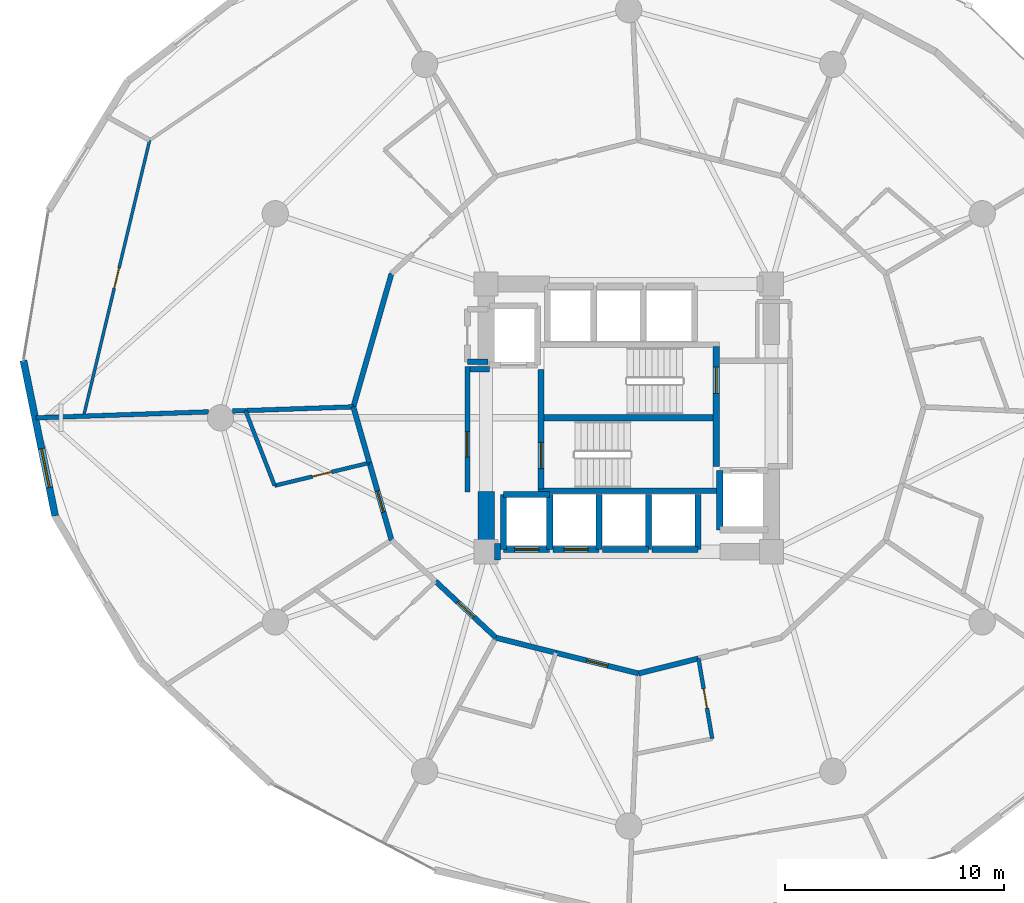
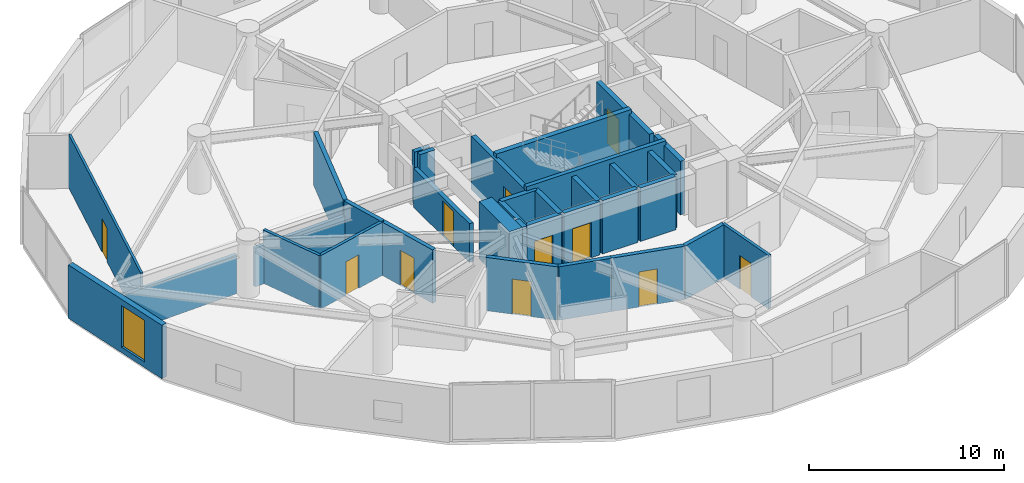
# One storey, part 18 of 23: 34 walls, 11 doors, 1 window, 12 openings.
"""IFC4 building model written with IfcOpenShell, lengths in metres."""

from ifc_helpers import new_model, si_unit, direction, frame, frame_2d, origin, place, context, subcontext, project, spatial, rectangle, extrude, material, layer, layer_set, type_object, element, fill, save


model = new_model("IFC4")

# Units and contexts
model_context = context("Model", 3, precision=1e-05, world=origin(), true_north=direction((0.0, 1.0)))
body_context = subcontext(model_context, "Body", "Model", "MODEL_VIEW")
ifc_project = project(units=[si_unit("LENGTHUNIT", "METRE"), si_unit("AREAUNIT", "SQUARE_METRE"), si_unit("VOLUMEUNIT", "CUBIC_METRE"), si_unit("PLANEANGLEUNIT", "RADIAN"), si_unit("MASSUNIT", "GRAM", prefix="KILO")], contexts=[model_context])

# Site, building, storey
site_placement = place(None, origin())
site = spatial("IfcSite", under=ifc_project, at=site_placement, CompositionType="ELEMENT")
building_placement = place(site_placement, origin())
building = spatial("IfcBuilding", under=site, at=building_placement, Name="Solvirekh Grand Hotel", CompositionType="ELEMENT")
storey_placement = place(building_placement, frame((0.0, 0.0, 75.199951171875)))
storey = spatial("IfcBuildingStorey", under=building, at=storey_placement, Name="L18", CompositionType="ELEMENT", Elevation=75.199951171875)

# Wall
ifc_material_1 = material(Name="Concrete C50/60", Category="concrete")
ifc_layer_1 = layer(ifc_material_1, 0.35009765625)
ifc_layer_set_1 = layer_set([ifc_layer_1], Name="Concrete C50/60")
wall_type_1 = type_object("IfcWallType", Name="CoreDivWall_RC350", PredefinedType="SOLIDWALL", material=ifc_layer_set_1)
wall_1_placement = place(storey_placement, frame((-4.1298828125, -3.324951171875, 0.0), z_axis=(0.0, 0.0, 1.0), x_axis=(1.0, 0.0, 0.0)))
element("IfcWall", 1, at=wall_1_placement, inside=storey, type_object=wall_type_1, Name="L18 core stair box wall ST-S", PredefinedType="SOLIDWALL", context=body_context, shape_type="SweptSolid", body=[
    extrude(rectangle(XDim=8.259765625, YDim=0.25, at=frame_2d((4.1298828125, 0.0))), origin(), (0.0, 0.0, 1.0), 3.60009765625),
])

# Wall, opening, door
ifc_material_2 = material(Name="Concrete C40/50", Category="concrete")
ifc_layer_2 = layer(ifc_material_2, 0.280029296875)
ifc_layer_set_2 = layer_set([ifc_layer_2], Name="Concrete C40/50")
wall_type_2 = type_object("IfcWallType", Name="CoreShaftWall_RC280", PredefinedType="SOLIDWALL", material=ifc_layer_set_2)
wall_2_placement = place(storey_placement, frame((-5.699951171875, -6.0, 0.0), z_axis=(0.0, 0.0, 1.0), x_axis=(1.0, 0.0, 0.0)))
wall_2 = element("IfcWall", 2, at=wall_2_placement, inside=storey, type_object=wall_type_2, Name="L18 LP-1 hoistway S wall", PredefinedType="SOLIDWALL", context=body_context, shape_type="SweptSolid", body=[
    extrude(rectangle(XDim=2.099853515625, YDim=0.280029296875, at=frame_2d((1.0498046875, 0.0))), origin(), (0.0, 0.0, 1.0), 3.340087890625),
])
opening_1_placement = place(wall_2_placement, frame((0.5, 0.0, 0.0)))
opening_1 = element("IfcOpeningElement", 3, at=opening_1_placement, cuts=wall_2, Name="Opening LD01", PredefinedType="OPENING", context=body_context, shape_type="SweptSolid", body=[
    extrude(rectangle(XDim=1.10009765625, YDim=2.199951171875, at=frame_2d((0.550048828125, 1.10009765625))), frame((0.0, 0.14990234375, 0.0), z_axis=(0.0, -1.0, 0.0), x_axis=(1.0, 0.0, 0.0)), (0.0, 0.0, 1.0), 0.300048828125),
])
ifc_material_3 = material(Name="Fire-Rated Steel Door Assembly", Category="steel")
door_type_1 = type_object("IfcDoorType", Name="Door_LiftLanding_1100X2200", OperationType="SLIDING_TO_LEFT", PredefinedType="DOOR", material=ifc_material_3)
door_1_placement = place(opening_1_placement, origin())
door_1 = element("IfcDoor", 4, at=door_1_placement, inside=storey, type_object=door_type_1, Name="L18 LP-1 sliding lift landing door", OperationType="SLIDING_TO_LEFT", OverallHeight=2.199951171875, OverallWidth=1.10009765625, PredefinedType="DOOR", context=body_context, shape_type="SweptSolid", body=[
    extrude(rectangle(XDim=1.10009765625, YDim=2.199951171875, at=frame_2d((0.550048828125, 1.10009765625))), frame((0.0, 0.02490234375, 0.0), z_axis=(0.0, -1.0, 0.0), x_axis=(1.0, 0.0, 0.0)), (0.0, 0.0, 1.0), 0.050048828125),
])
fill(opening_1, door_1)

# Walls
wall_3_placement = place(storey_placement, frame((-3.60009765625, -3.5, 0.0), z_axis=(0.0, 0.0, 1.0), x_axis=(-1.0, 0.0, 0.0)))
element("IfcWall", 5, at=wall_3_placement, inside=storey, type_object=wall_type_2, Name="L18 LP-1 hoistway N wall", PredefinedType="SOLIDWALL", context=body_context, shape_type="SweptSolid", body=[
    extrude(rectangle(XDim=2.099853515625, YDim=0.280029296875, at=frame_2d((1.0498046875, 0.0))), origin(), (0.0, 0.0, 1.0), 3.340087890625),
])
for number, where, z_axis, x_axis, name in (
    (6, (-5.699951171875, -3.5, 0.0), (0.0, 0.0, 1.0), (0.0, -1.0, 0.0), "L18 LP-1 hoistway W wall"),
    (7, (-3.60009765625, -6.0, 0.0), (0.0, 0.0, 1.0), (0.0, 1.0, 0.0), "L18 LP-1 hoistway E wall"),
):
    element("IfcWall", number, at=place(storey_placement, frame(where, z_axis=z_axis, x_axis=x_axis)), inside=storey, type_object=wall_type_2, Name=name, PredefinedType="SOLIDWALL", context=body_context, shape_type="SweptSolid", body=[
        extrude(rectangle(XDim=2.5, YDim=0.280029296875, at=frame_2d((1.25, 0.0))), origin(), (0.0, 0.0, 1.0), 3.340087890625),
    ])

# Wall, opening, door
wall_4_placement = place(storey_placement, frame((-3.449951171875, -6.0, 0.0), z_axis=(0.0, 0.0, 1.0), x_axis=(1.0, 0.0, 0.0)))
wall_4 = element("IfcWall", 8, at=wall_4_placement, inside=storey, type_object=wall_type_2, Name="L18 LP-2 hoistway S wall", PredefinedType="SOLIDWALL", context=body_context, shape_type="SweptSolid", body=[
    extrude(rectangle(XDim=2.099853515625, YDim=0.280029296875, at=frame_2d((1.0498046875, 0.0))), origin(), (0.0, 0.0, 1.0), 3.340087890625),
])
opening_2_placement = place(wall_4_placement, frame((0.5, 0.0, 0.0)))
opening_2 = element("IfcOpeningElement", 9, at=opening_2_placement, cuts=wall_4, Name="Opening LD01", PredefinedType="OPENING", context=body_context, shape_type="SweptSolid", body=[
    extrude(rectangle(XDim=1.10009765625, YDim=2.199951171875, at=frame_2d((0.550048828125, 1.10009765625))), frame((0.0, 0.14990234375, 0.0), z_axis=(0.0, -1.0, 0.0), x_axis=(1.0, 0.0, 0.0)), (0.0, 0.0, 1.0), 0.300048828125),
])
door_2_placement = place(opening_2_placement, origin())
door_2 = element("IfcDoor", 10, at=door_2_placement, inside=storey, type_object=door_type_1, Name="L18 LP-2 sliding lift landing door", OperationType="SLIDING_TO_LEFT", OverallHeight=2.199951171875, OverallWidth=1.10009765625, PredefinedType="DOOR", context=body_context, shape_type="SweptSolid", body=[
    extrude(rectangle(XDim=1.10009765625, YDim=2.199951171875, at=frame_2d((0.550048828125, 1.10009765625))), frame((0.0, 0.02490234375, 0.0), z_axis=(0.0, -1.0, 0.0), x_axis=(1.0, 0.0, 0.0)), (0.0, 0.0, 1.0), 0.050048828125),
])
fill(opening_2, door_2)

# Walls
wall_5_placement = place(storey_placement, frame((-1.35009765625, -6.0, 0.0), z_axis=(0.0, 0.0, 1.0), x_axis=(0.0, 1.0, 0.0)))
element("IfcWall", 11, at=wall_5_placement, inside=storey, type_object=wall_type_2, Name="L18 LP-2 hoistway E wall", PredefinedType="SOLIDWALL", context=body_context, shape_type="SweptSolid", body=[
    extrude(rectangle(XDim=2.5, YDim=0.280029296875, at=frame_2d((1.25, 0.0))), origin(), (0.0, 0.0, 1.0), 3.340087890625),
])
wall_6_placement = place(storey_placement, frame((-1.199951171875, -6.0, 0.0), z_axis=(0.0, 0.0, 1.0), x_axis=(1.0, 0.0, 0.0)))
element("IfcWall", 12, at=wall_6_placement, inside=storey, type_object=wall_type_2, Name="L18 MP-1 hoistway S wall", PredefinedType="SOLIDWALL", context=body_context, shape_type="SweptSolid", body=[
    extrude(rectangle(XDim=2.099853515625, YDim=0.280029296875, at=frame_2d((1.0498046875, 0.0))), origin(), (0.0, 0.0, 1.0), 3.340087890625),
])
wall_7_placement = place(storey_placement, frame((0.89990234375, -6.0, 0.0), z_axis=(0.0, 0.0, 1.0), x_axis=(0.0, 1.0, 0.0)))
element("IfcWall", 13, at=wall_7_placement, inside=storey, type_object=wall_type_2, Name="L18 MP-1 hoistway E wall", PredefinedType="SOLIDWALL", context=body_context, shape_type="SweptSolid", body=[
    extrude(rectangle(XDim=2.5, YDim=0.280029296875, at=frame_2d((1.25, 0.0))), origin(), (0.0, 0.0, 1.0), 3.340087890625),
])
wall_8_placement = place(storey_placement, frame((1.050048828125, -6.0, 0.0), z_axis=(0.0, 0.0, 1.0), x_axis=(1.0, 0.0, 0.0)))
element("IfcWall", 14, at=wall_8_placement, inside=storey, type_object=wall_type_2, Name="L18 MP-2 hoistway S wall", PredefinedType="SOLIDWALL", context=body_context, shape_type="SweptSolid", body=[
    extrude(rectangle(XDim=2.099853515625, YDim=0.280029296875, at=frame_2d((1.0498046875, 0.0))), origin(), (0.0, 0.0, 1.0), 3.340087890625),
])
wall_9_placement = place(storey_placement, frame((3.14990234375, -6.0, 0.0), z_axis=(0.0, 0.0, 1.0), x_axis=(0.0, 1.0, 0.0)))
element("IfcWall", 15, at=wall_9_placement, inside=storey, type_object=wall_type_2, Name="L18 MP-2 hoistway E wall", PredefinedType="SOLIDWALL", context=body_context, shape_type="SweptSolid", body=[
    extrude(rectangle(XDim=2.5, YDim=0.280029296875, at=frame_2d((1.25, 0.0))), origin(), (0.0, 0.0, 1.0), 3.340087890625),
])
wall_10_placement = place(storey_placement, frame((4.14990234375, -2.39990234375, 0.0), z_axis=(0.0, 0.0, 1.0), x_axis=(0.0, -1.0, 0.0)))
element("IfcWall", 16, at=wall_10_placement, inside=storey, type_object=wall_type_2, Name="L18 FL-2 hoistway W wall", PredefinedType="SOLIDWALL", context=body_context, shape_type="SweptSolid", body=[
    extrude(rectangle(XDim=2.7001953125, YDim=0.280029296875, at=frame_2d((1.35009765625, 0.0))), origin(), (0.0, 0.0, 1.0), 3.340087890625),
])

# Wall, opening, door
wall_11_placement = place(storey_placement, frame((-3.989990234375, -3.25, 0.0), z_axis=(0.0, 0.0, 1.0), x_axis=(0.0, 1.0, 0.0)))
wall_11 = element("IfcWall", 17, at=wall_11_placement, inside=storey, type_object=wall_type_2, Name="L18 west stair landing enclosure wall", PredefinedType="SOLIDWALL", context=body_context, shape_type="SweptSolid", body=[
    extrude(rectangle(XDim=5.4599609375, YDim=0.280029296875, at=frame_2d((2.72998046875, 0.0))), origin(), (0.0, 0.0, 1.0), 3.340087890625),
])
opening_3_placement = place(wall_11_placement, frame((0.93701171875, 0.0, 0.0)))
opening_3 = element("IfcOpeningElement", 18, at=opening_3_placement, cuts=wall_11, Name="Opening D05", PredefinedType="OPENING", context=body_context, shape_type="SweptSolid", body=[
    extrude(rectangle(XDim=1.199951171875, YDim=2.199951171875, at=frame_2d((0.60009765625, 1.10009765625))), frame((0.0, 0.14990234375, 0.0), z_axis=(0.0, -1.0, 0.0), x_axis=(1.0, 0.0, 0.0)), (0.0, 0.0, 1.0), 0.300048828125),
])
door_type_2 = type_object("IfcDoorType", Name="Door_StairCore_1200X2200", OperationType="NOTDEFINED", PredefinedType="DOOR", material=ifc_material_3)
door_3_placement = place(opening_3_placement, origin())
door_3 = element("IfcDoor", 19, at=door_3_placement, inside=storey, type_object=door_type_2, Name="L18 exit stair ST-1 fire door", OperationType="SINGLE_SWING_LEFT", OverallHeight=2.199951171875, OverallWidth=1.199951171875, PredefinedType="DOOR", context=body_context, shape_type="SweptSolid", body=[
    extrude(rectangle(XDim=1.199951171875, YDim=2.199951171875, at=frame_2d((0.60009765625, 1.10009765625))), frame((0.0, 0.02490234375, 0.0), z_axis=(0.0, -1.0, 0.0), x_axis=(1.0, 0.0, 0.0)), (0.0, 0.0, 1.0), 0.050048828125),
])
fill(opening_3, door_3)

wall_12_placement = place(storey_placement, frame((3.989990234375, -2.2099609375, 0.0), z_axis=(0.0, 0.0, 1.0), x_axis=(0.0, 1.0, 0.0)))
wall_12 = element("IfcWall", 20, at=wall_12_placement, inside=storey, type_object=wall_type_2, Name="L18 east stair landing enclosure wall", PredefinedType="SOLIDWALL", context=body_context, shape_type="SweptSolid", body=[
    extrude(rectangle(XDim=5.4599609375, YDim=0.280029296875, at=frame_2d((2.72998046875, 0.0))), origin(), (0.0, 0.0, 1.0), 3.340087890625),
])
opening_4_placement = place(wall_12_placement, frame((3.322998046875, 0.0, 0.0)))
opening_4 = element("IfcOpeningElement", 21, at=opening_4_placement, cuts=wall_12, Name="Opening D05", PredefinedType="OPENING", context=body_context, shape_type="SweptSolid", body=[
    extrude(rectangle(XDim=1.199951171875, YDim=2.199951171875, at=frame_2d((0.60009765625, 1.10009765625))), frame((0.0, 0.14990234375, 0.0), z_axis=(0.0, -1.0, 0.0), x_axis=(1.0, 0.0, 0.0)), (0.0, 0.0, 1.0), 0.300048828125),
])
door_4_placement = place(opening_4_placement, origin())
door_4 = element("IfcDoor", 22, at=door_4_placement, inside=storey, type_object=door_type_2, Name="L18 exit stair ST-2 fire door", OperationType="SINGLE_SWING_RIGHT", OverallHeight=2.199951171875, OverallWidth=1.199951171875, PredefinedType="DOOR", context=body_context, shape_type="SweptSolid", body=[
    extrude(rectangle(XDim=1.199951171875, YDim=2.199951171875, at=frame_2d((0.60009765625, 1.10009765625))), frame((0.0, 0.02490234375, 0.0), z_axis=(0.0, -1.0, 0.0), x_axis=(1.0, 0.0, 0.0)), (0.0, 0.0, 1.0), 0.050048828125),
])
fill(opening_4, door_4)

# Walls
ifc_material_4 = material(Name="Concrete C60/75", Category="concrete")
ifc_layer_3 = layer(ifc_material_4, 0.75)
ifc_layer_set_3 = layer_set([ifc_layer_3], Name="Concrete C60/75")
wall_type_3 = type_object("IfcWallType", Name="CoreWall_RC750", PredefinedType="SHEAR", material=ifc_layer_set_3)
wall_13_placement = place(storey_placement, frame((-3.989990234375, 0.0, 0.0), z_axis=(0.0, 0.0, 1.0), x_axis=(1.0, 0.0, 0.0)))
element("IfcWall", 23, at=wall_13_placement, inside=storey, type_object=wall_type_3, Name="L18 central stair-spine shear wall", PredefinedType="SHEAR", context=body_context, shape_type="SweptSolid", body=[
    extrude(rectangle(XDim=7.97998046875, YDim=0.300048828125, at=frame_2d((3.989990234375, 0.0))), origin(), (0.0, 0.0, 1.0), 3.60009765625),
])
wall_14_placement = place(storey_placement, frame((-6.125, -6.10009765625, 0.0), z_axis=(0.0, 0.0, 1.0), x_axis=(1.0, 0.0, 0.0)))
element("IfcWall", 24, at=wall_14_placement, inside=storey, type_object=wall_type_3, Name="L18 core corner shear wall SW-S", PredefinedType="SHEAR", context=body_context, shape_type="SweptSolid", body=[
    extrude(rectangle(XDim=0.27490234375, YDim=0.75, at=frame_2d((0.137451171875, 0.0))), origin(), (0.0, 0.0, 1.0), 3.60009765625),
])
wall_15_placement = place(storey_placement, frame((-6.5, -6.47509765625, 0.0), z_axis=(0.0, 0.0, 1.0), x_axis=(0.0, 1.0, 0.0)))
element("IfcWall", 25, at=wall_15_placement, inside=storey, type_object=wall_type_3, Name="L18 core corner shear wall WS-W", PredefinedType="SHEAR", context=body_context, shape_type="SweptSolid", body=[
    extrude(rectangle(XDim=3.125, YDim=0.75, at=frame_2d((1.5625, 0.0))), origin(), (0.0, 0.0, 1.0), 3.60009765625),
])

# Wall, opening, window
ifc_material_5 = material(Name="Precast concrete C45/55", Category="concrete")
ifc_layer_4 = layer(ifc_material_5, 0.320068359375)
ifc_layer_set_4 = layer_set([ifc_layer_4], Name="Precast concrete C45/55")
wall_type_4 = type_object("IfcWallType", Name="ExtLobbyWall_RC320", PredefinedType="SOLIDWALL", material=ifc_layer_set_4)
wall_16_placement = place(storey_placement, frame((-26.136962890625, -4.470947265625, 0.0), z_axis=(0.0, 0.0, 1.0), x_axis=(-0.200054576405, 0.979784755168, 0.0)))
wall_16 = element("IfcWall", 26, at=wall_16_placement, inside=storey, type_object=wall_type_4, Name="L18 exterior structural wall chord 12", PredefinedType="SOLIDWALL", context=body_context, shape_type="SweptSolid", body=[
    extrude(rectangle(XDim=7.233154296875, YDim=0.320068359375, at=frame_2d((3.61669921875, 0.0))), origin(), (0.0, 0.0, 1.0), 3.340087890625),
])
opening_5_placement = place(wall_16_placement, frame((1.327880859375, 0.0, 0.35009765625)))
opening_5 = element("IfcOpeningElement", 27, at=opening_5_placement, cuts=wall_16, Name="Opening W02", PredefinedType="OPENING", context=body_context, shape_type="SweptSolid", body=[
    extrude(rectangle(XDim=1.800048828125, YDim=2.60009765625, at=frame_2d((0.89990234375, 1.300048828125))), frame((0.0, 0.169921875, 0.0), z_axis=(0.0, -1.0, 0.0), x_axis=(1.0, 0.0, 0.0)), (0.0, 0.0, 1.0), 0.340087890625),
])
ifc_material_6 = material(Name="Low-E Tinted Bronze Laminated Glass", Category="aluminium")
window_type = type_object("IfcWindowType", Name="Win_LobbyExt_1800X2600", PartitioningType="SINGLE_PANEL", PredefinedType="WINDOW", material=ifc_material_6)
window_placement = place(opening_5_placement, origin())
window = element("IfcWindow", 28, at=window_placement, inside=storey, type_object=window_type, Name="L18 panoramic bronze-framed window 12", OverallHeight=2.60009765625, OverallWidth=1.800048828125, PartitioningType="SINGLE_PANEL", PredefinedType="WINDOW", context=body_context, shape_type="SweptSolid", body=[
    extrude(rectangle(XDim=1.800048828125, YDim=2.60009765625, at=frame_2d((0.89990234375, 1.300048828125))), frame((0.0, 0.030029296875, 0.0), z_axis=(0.0, -1.0, 0.0), x_axis=(1.0, 0.0, 0.0)), (0.0, 0.0, 1.0), 0.06005859375),
])
fill(opening_5, window)

# Wall, opening, door
ifc_material_7 = material(Name="Acoustic Gypsum Partition Assembly")
ifc_layer_5 = layer(ifc_material_7, 0.239990234375)
ifc_layer_set_5 = layer_set([ifc_layer_5], Name="Acoustic Gypsum Partition Assembly")
wall_type_5 = type_object("IfcWallType", Name="Part_Corridor_240", PredefinedType="PARTITIONING", material=ifc_layer_set_5)
wall_17_placement = place(storey_placement, frame((-7.35009765625, -3.3798828125, 0.0), z_axis=(0.0, 0.0, 1.0), x_axis=(0.0, 1.0, 0.0)))
wall_17 = element("IfcWall", 29, at=wall_17_placement, inside=storey, type_object=wall_type_5, Name="L18 west firefighting lobby smoke screen wall", PredefinedType="PARTITIONING", context=body_context, shape_type="SweptSolid", body=[
    extrude(rectangle(XDim=5.719970703125, YDim=0.239990234375, at=frame_2d((2.85986328125, 0.0))), origin(), (0.0, 0.0, 1.0), 2.425048828125),
])
opening_6_placement = place(wall_17_placement, frame((1.59912109375, 0.0, 0.0)))
opening_6 = element("IfcOpeningElement", 30, at=opening_6_placement, cuts=wall_17, Name="Opening D06", PredefinedType="OPENING", context=body_context, shape_type="SweptSolid", body=[
    extrude(rectangle(XDim=1.14990234375, YDim=2.199951171875, at=frame_2d((0.574951171875, 1.10009765625))), frame((0.0, 0.1298828125, 0.0), z_axis=(0.0, -1.0, 0.0), x_axis=(1.0, 0.0, 0.0)), (0.0, 0.0, 1.0), 0.260009765625),
])
door_type_3 = type_object("IfcDoorType", Name="Door_FFLobby_1150X2200", OperationType="NOTDEFINED", PredefinedType="DOOR", material=ifc_material_3)
door_5_placement = place(opening_6_placement, origin())
door_5 = element("IfcDoor", 31, at=door_5_placement, inside=storey, type_object=door_type_3, Name="L18 west firefighting lobby smoke door", OperationType="SINGLE_SWING_LEFT", OverallHeight=2.199951171875, OverallWidth=1.14990234375, PredefinedType="DOOR", context=body_context, shape_type="SweptSolid", body=[
    extrude(rectangle(XDim=1.14990234375, YDim=2.199951171875, at=frame_2d((0.574951171875, 1.10009765625))), frame((0.0, 0.02490234375, 0.0), z_axis=(0.0, -1.0, 0.0), x_axis=(1.0, 0.0, 0.0)), (0.0, 0.0, 1.0), 0.050048828125),
])
fill(opening_6, door_5)

# Walls
wall_18_placement = place(storey_placement, frame((-10.80810546875, 6.574951171875, 0.0), z_axis=(0.0, 0.0, 1.0), x_axis=(-0.275634306148, -0.961262570412, 0.0)))
element("IfcWall", 32, at=wall_18_placement, inside=storey, type_object=wall_type_5, Name="L18 Executive Suite 2001 Living Room corridor wall 1", PredefinedType="PARTITIONING", context=body_context, shape_type="SweptSolid", body=[
    extrude(rectangle(XDim=6.31982421875, YDim=0.239990234375, at=frame_2d((3.159912109375, 0.0))), origin(), (0.0, 0.0, 1.0), 3.340087890625),
])
wall_19_placement = place(storey_placement, frame((-12.550048828125, 0.5, 0.0), z_axis=(0.0, 0.0, 1.0), x_axis=(0.275790140823, -0.961217872402, 0.0)))
element("IfcWall", 33, at=wall_19_placement, inside=storey, type_object=wall_type_5, Name="L18 En-suite Bathroom 2002 corridor backing wall", PredefinedType="PARTITIONING", context=body_context, shape_type="SweptSolid", body=[
    extrude(rectangle(XDim=2.654052734375, YDim=0.239990234375, at=frame_2d((1.3271484375, 0.0))), origin(), (0.0, 0.0, 1.0), 3.340087890625),
])

# Wall, opening, door
wall_20_placement = place(storey_placement, frame((-11.818115234375, -2.051025390625, 0.0), z_axis=(0.0, 0.0, 1.0), x_axis=(0.275521481409, -0.961294914832, 0.0)))
wall_20 = element("IfcWall", 34, at=wall_20_placement, inside=storey, type_object=wall_type_5, Name="L18 Deluxe Guestroom 2002 entrance wall", PredefinedType="PARTITIONING", context=body_context, shape_type="SweptSolid", body=[
    extrude(rectangle(XDim=3.665771484375, YDim=0.239990234375, at=frame_2d((1.8330078125, 0.0))), origin(), (0.0, 0.0, 1.0), 3.340087890625),
])
opening_7_placement = place(wall_20_placement, frame((1.3330078125, 0.0, 0.0)))
opening_7 = element("IfcOpeningElement", 35, at=opening_7_placement, cuts=wall_20, Name="Opening D07", PredefinedType="OPENING", context=body_context, shape_type="SweptSolid", body=[
    extrude(rectangle(XDim=1.0, YDim=2.199951171875, at=frame_2d((0.5, 1.10009765625))), frame((0.0, 0.1298828125, 0.0), z_axis=(0.0, -1.0, 0.0), x_axis=(1.0, 0.0, 0.0)), (0.0, 0.0, 1.0), 0.260009765625),
])
door_type_4 = type_object("IfcDoorType", Name="Door_GuestEntry_1000X2200", OperationType="NOTDEFINED", PredefinedType="DOOR", material=ifc_material_3)
door_6_placement = place(opening_7_placement, origin())
door_6 = element("IfcDoor", 36, at=door_6_placement, inside=storey, type_object=door_type_4, Name="L18 Deluxe Guestroom 2002 entrance door", OperationType="SINGLE_SWING_RIGHT", OverallHeight=2.199951171875, OverallWidth=1.0, PredefinedType="DOOR", context=body_context, shape_type="SweptSolid", body=[
    extrude(rectangle(XDim=1.0, YDim=2.199951171875, at=frame_2d((0.5, 1.10009765625))), frame((0.0, 0.02490234375, 0.0), z_axis=(0.0, -1.0, 0.0), x_axis=(1.0, 0.0, 0.0)), (0.0, 0.0, 1.0), 0.050048828125),
])
fill(opening_7, door_6)

wall_21_placement = place(storey_placement, frame((-8.81005859375, -7.443115234375, 0.0), z_axis=(0.0, 0.0, 1.0), x_axis=(0.730679025356, -0.682721145054, 0.0)))
wall_21 = element("IfcWall", 37, at=wall_21_placement, inside=storey, type_object=wall_type_5, Name="L18 Deluxe Guestroom 2003 entrance wall", PredefinedType="PARTITIONING", context=body_context, shape_type="SweptSolid", body=[
    extrude(rectangle(XDim=3.77734375, YDim=0.239990234375, at=frame_2d((1.888671875, 0.0))), origin(), (0.0, 0.0, 1.0), 3.340087890625),
])
opening_8_placement = place(wall_21_placement, frame((1.388916015625, 0.0, 0.0)))
opening_8 = element("IfcOpeningElement", 38, at=opening_8_placement, cuts=wall_21, Name="Opening D07", PredefinedType="OPENING", context=body_context, shape_type="SweptSolid", body=[
    extrude(rectangle(XDim=1.0, YDim=2.199951171875, at=frame_2d((0.5, 1.10009765625))), frame((0.0, 0.1298828125, 0.0), z_axis=(0.0, -1.0, 0.0), x_axis=(1.0, 0.0, 0.0)), (0.0, 0.0, 1.0), 0.260009765625),
])
door_7_placement = place(opening_8_placement, origin())
door_7 = element("IfcDoor", 39, at=door_7_placement, inside=storey, type_object=door_type_4, Name="L18 Deluxe Guestroom 2003 entrance door", OperationType="SINGLE_SWING_RIGHT", OverallHeight=2.199951171875, OverallWidth=1.0, PredefinedType="DOOR", context=body_context, shape_type="SweptSolid", body=[
    extrude(rectangle(XDim=1.0, YDim=2.199951171875, at=frame_2d((0.5, 1.10009765625))), frame((0.0, 0.02490234375, 0.0), z_axis=(0.0, -1.0, 0.0), x_axis=(1.0, 0.0, 0.0)), (0.0, 0.0, 1.0), 0.050048828125),
])
fill(opening_8, door_7)

# Wall
wall_22_placement = place(storey_placement, frame((-6.050048828125, -10.02197265625, 0.0), z_axis=(0.0, 0.0, 1.0), x_axis=(0.970009682466, -0.243066278865, 0.0)))
element("IfcWall", 40, at=wall_22_placement, inside=storey, type_object=wall_type_5, Name="L18 En-suite Bathroom 2004 corridor backing wall", PredefinedType="PARTITIONING", context=body_context, shape_type="SweptSolid", body=[
    extrude(rectangle(XDim=2.814453125, YDim=0.239990234375, at=frame_2d((1.4072265625, 0.0))), origin(), (0.0, 0.0, 1.0), 3.340087890625),
])

# Wall, opening, door
wall_23_placement = place(storey_placement, frame((-3.320068359375, -10.7060546875, 0.0), z_axis=(0.0, 0.0, 1.0), x_axis=(0.970061149619, -0.24286079552, 0.0)))
wall_23 = element("IfcWall", 41, at=wall_23_placement, inside=storey, type_object=wall_type_5, Name="L18 Deluxe Guestroom 2004 entrance wall", PredefinedType="PARTITIONING", context=body_context, shape_type="SweptSolid", body=[
    extrude(rectangle(XDim=3.886474609375, YDim=0.239990234375, at=frame_2d((1.943359375, 0.0))), origin(), (0.0, 0.0, 1.0), 3.340087890625),
])
opening_9_placement = place(wall_23_placement, frame((1.443115234375, 0.0, 0.0)))
opening_9 = element("IfcOpeningElement", 42, at=opening_9_placement, cuts=wall_23, Name="Opening D07", PredefinedType="OPENING", context=body_context, shape_type="SweptSolid", body=[
    extrude(rectangle(XDim=1.0, YDim=2.199951171875, at=frame_2d((0.5, 1.10009765625))), frame((0.0, 0.1298828125, 0.0), z_axis=(0.0, -1.0, 0.0), x_axis=(1.0, 0.0, 0.0)), (0.0, 0.0, 1.0), 0.260009765625),
])
door_8_placement = place(opening_9_placement, origin())
door_8 = element("IfcDoor", 43, at=door_8_placement, inside=storey, type_object=door_type_4, Name="L18 Deluxe Guestroom 2004 entrance door", OperationType="SINGLE_SWING_RIGHT", OverallHeight=2.199951171875, OverallWidth=1.0, PredefinedType="DOOR", context=body_context, shape_type="SweptSolid", body=[
    extrude(rectangle(XDim=1.0, YDim=2.199951171875, at=frame_2d((0.5, 1.10009765625))), frame((0.0, 0.02490234375, 0.0), z_axis=(0.0, -1.0, 0.0), x_axis=(1.0, 0.0, 0.0)), (0.0, 0.0, 1.0), 0.050048828125),
])
fill(opening_9, door_8)

# Walls
wall_24_placement = place(storey_placement, frame((0.449951171875, -11.64990234375, 0.0), z_axis=(0.0, 0.0, 1.0), x_axis=(0.97003013248, 0.242984654004, 0.0)))
element("IfcWall", 44, at=wall_24_placement, inside=storey, type_object=wall_type_5, Name="L18 En-suite Bathroom 2005 corridor backing wall", PredefinedType="PARTITIONING", context=body_context, shape_type="SweptSolid", body=[
    extrude(rectangle(XDim=2.814208984375, YDim=0.239990234375, at=frame_2d((1.4072265625, 0.0))), origin(), (0.0, 0.0, 1.0), 3.340087890625),
])
ifc_layer_6 = layer(ifc_material_7, 0.260009765625)
ifc_layer_set_6 = layer_set([ifc_layer_6], Name="Acoustic Gypsum Partition Assembly")
wall_type_6 = type_object("IfcWallType", Name="Part_LobbyFF_260", PredefinedType="PARTITIONING", material=ifc_layer_set_6)
wall_25_placement = place(storey_placement, frame((-7.22509765625, 2.2099609375, 0.0), z_axis=(0.0, 0.0, 1.0), x_axis=(1.0, 0.0, 0.0)))
element("IfcWall", 45, at=wall_25_placement, inside=storey, type_object=wall_type_6, Name="L18 west firefighting lobby NW cheek", PredefinedType="PARTITIONING", context=body_context, shape_type="SweptSolid", body=[
    extrude(rectangle(XDim=0.875, YDim=0.260009765625, at=frame_2d((0.4375, 0.0))), origin(), (0.0, 0.0, 1.0), 3.340087890625),
])
wall_26_placement = place(storey_placement, frame((-7.35009765625, 2.550048828125, 0.0), z_axis=(0.0, 0.0, 1.0), x_axis=(1.0, 0.0, 0.0)))
element("IfcWall", 46, at=wall_26_placement, inside=storey, type_object=wall_type_6, Name="L18 NW telecom metering cupboard south wall", PredefinedType="PARTITIONING", context=body_context, shape_type="SweptSolid", body=[
    extrude(rectangle(XDim=0.93017578125, YDim=0.260009765625, at=frame_2d((0.465087890625, 0.0))), origin(), (0.0, 0.0, 1.0), 3.340087890625),
])

# Wall, opening, door
ifc_layer_7 = layer(ifc_material_7, 0.135009765625)
ifc_layer_set_7 = layer_set([ifc_layer_7], Name="Acoustic Gypsum Partition Assembly")
wall_type_7 = type_object("IfcWallType", Name="Part_RoomInt_135", PredefinedType="PARTITIONING", material=ifc_layer_set_7)
wall_27_placement = place(storey_placement, frame((-21.8310546875, 12.654052734375, 0.0), z_axis=(0.0, 0.0, 1.0), x_axis=(-0.232716823602, -0.972544538832, 0.0)))
wall_27 = element("IfcWall", 47, at=wall_27_placement, inside=storey, type_object=wall_type_7, Name="L18 Executive Suite 2001 Panorama Suite Study bedroom screen wall", PredefinedType="PARTITIONING", context=body_context, shape_type="SweptSolid", body=[
    extrude(rectangle(XDim=12.934326171875, YDim=0.135009765625, at=frame_2d((6.46728515625, 0.0))), origin(), (0.0, 0.0, 1.0), 3.340087890625),
])
opening_10_placement = place(wall_27_placement, frame((5.991943359375, 0.0, 0.0)))
opening_10 = element("IfcOpeningElement", 48, at=opening_10_placement, cuts=wall_27, Name="Opening D10", PredefinedType="OPENING", context=body_context, shape_type="SweptSolid", body=[
    extrude(rectangle(XDim=0.949951171875, YDim=2.10009765625, at=frame_2d((0.47509765625, 1.050048828125))), frame((0.0, 0.07763671875, 0.0), z_axis=(0.0, -1.0, 0.0), x_axis=(1.0, 0.0, 0.0)), (0.0, 0.0, 1.0), 0.155029296875),
])
ifc_material_8 = material(Name="Anodized Bronze Aluminium 6063-T6", Category="aluminium")
door_type_5 = type_object("IfcDoorType", Name="Door_RoomInt_950X2100", OperationType="NOTDEFINED", PredefinedType="DOOR", material=ifc_material_8)
door_9_placement = place(opening_10_placement, origin())
door_9 = element("IfcDoor", 49, at=door_9_placement, inside=storey, type_object=door_type_5, Name="L18 Executive Suite 2001 Panorama Suite Study master bedroom door", OperationType="SINGLE_SWING_RIGHT", OverallHeight=2.10009765625, OverallWidth=0.949951171875, PredefinedType="DOOR", context=body_context, shape_type="SweptSolid", body=[
    extrude(rectangle(XDim=0.949951171875, YDim=2.10009765625, at=frame_2d((0.47509765625, 1.050048828125))), frame((0.0, 0.02490234375, 0.0), z_axis=(0.0, -1.0, 0.0), x_axis=(1.0, 0.0, 0.0)), (0.0, 0.0, 1.0), 0.050048828125),
])
fill(opening_10, door_9)

# Walls
ifc_layer_8 = layer(ifc_material_7, 0.2099609375)
ifc_layer_set_8 = layer_set([ifc_layer_8], Name="Acoustic Gypsum Partition Assembly")
wall_type_8 = type_object("IfcWallType", Name="Part_SuiteDemise_210", PredefinedType="PARTITIONING", material=ifc_layer_set_8)
wall_28_placement = place(storey_placement, frame((-12.550048828125, 0.5, 0.0), z_axis=(0.0, 0.0, 1.0), x_axis=(-0.999400889754, -0.034610136654, 0.0)))
element("IfcWall", 50, at=wall_28_placement, inside=storey, type_object=wall_type_8, Name="L18 suite radial wall 7 (A)", PredefinedType="PARTITIONING", context=body_context, shape_type="SweptSolid", body=[
    extrude(rectangle(XDim=5.516357421875, YDim=0.2099609375, at=frame_2d((2.75830078125, 0.0))), origin(), (0.0, 0.0, 1.0), 2.420166015625),
])
wall_29_placement = place(storey_placement, frame((-19.156982421875, 0.27197265625, 0.0), z_axis=(0.0, 0.0, 1.0), x_axis=(-0.999400822075, -0.034612090897, 0.0)))
element("IfcWall", 51, at=wall_29_placement, inside=storey, type_object=wall_type_8, Name="L18 suite radial wall 7 (B)", PredefinedType="PARTITIONING", context=body_context, shape_type="SweptSolid", body=[
    extrude(rectangle(XDim=7.857666015625, YDim=0.2099609375, at=frame_2d((3.9287109375, 0.0))), origin(), (0.0, 0.0, 1.0), 2.420166015625),
])
ifc_layer_9 = layer(ifc_material_7, 0.175048828125)
ifc_layer_set_9 = layer_set([ifc_layer_9], Name="Acoustic Gypsum Partition Assembly")
wall_type_9 = type_object("IfcWallType", Name="Plumb_Ensuite_175", PredefinedType="PLUMBINGWALL", material=ifc_layer_set_9)
wall_30_placement = place(storey_placement, frame((-17.466064453125, 0.330078125, 0.0), z_axis=(0.0, 0.0, 1.0), x_axis=(0.362590680008, -0.931948495772, 0.0)))
element("IfcWall", 52, at=wall_30_placement, inside=storey, type_object=wall_type_9, Name="L18 En-suite Bathroom 2002 outer plumbing wall", PredefinedType="PLUMBINGWALL", context=body_context, shape_type="SweptSolid", body=[
    extrude(rectangle(XDim=3.6708984375, YDim=0.175048828125, at=frame_2d((1.83544921875, 0.0))), origin(), (0.0, 0.0, 1.0), 3.340087890625),
])

# Wall, opening, door
wall_31_placement = place(storey_placement, frame((-11.818115234375, -2.051025390625, 0.0), z_axis=(0.0, 0.0, 1.0), x_axis=(-0.972183308893, -0.234221292607, 0.0)))
wall_31 = element("IfcWall", 53, at=wall_31_placement, inside=storey, type_object=wall_type_9, Name="L18 En-suite Bathroom 2002 entry plumbing wall", PredefinedType="PLUMBINGWALL", context=body_context, shape_type="SweptSolid", body=[
    extrude(rectangle(XDim=4.4404296875, YDim=0.175048828125, at=frame_2d((2.22021484375, 0.0))), origin(), (0.0, 0.0, 1.0), 3.340087890625),
])
opening_11_placement = place(wall_31_placement, frame((1.77001953125, 0.0, 0.0)))
opening_11 = element("IfcOpeningElement", 54, at=opening_11_placement, cuts=wall_31, Name="Opening D09", PredefinedType="OPENING", context=body_context, shape_type="SweptSolid", body=[
    extrude(rectangle(XDim=0.89990234375, YDim=2.10009765625, at=frame_2d((0.449951171875, 1.050048828125))), frame((0.0, 0.09765625, 0.0), z_axis=(0.0, -1.0, 0.0), x_axis=(1.0, 0.0, 0.0)), (0.0, 0.0, 1.0), 0.195068359375),
])
door_type_6 = type_object("IfcDoorType", Name="Door_Ensuite_900X2100", OperationType="NOTDEFINED", PredefinedType="DOOR", material=ifc_material_8)
door_10_placement = place(opening_11_placement, origin())
door_10 = element("IfcDoor", 55, at=door_10_placement, inside=storey, type_object=door_type_6, Name="L18 En-suite Bathroom 2002 door", OperationType="SINGLE_SWING_LEFT", OverallHeight=2.10009765625, OverallWidth=0.89990234375, PredefinedType="DOOR", context=body_context, shape_type="SweptSolid", body=[
    extrude(rectangle(XDim=0.89990234375, YDim=2.10009765625, at=frame_2d((0.449951171875, 1.050048828125))), frame((0.0, 0.02490234375, 0.0), z_axis=(0.0, -1.0, 0.0), x_axis=(1.0, 0.0, 0.0)), (0.0, 0.0, 1.0), 0.050048828125),
])
fill(opening_11, door_10)

wall_32_placement = place(storey_placement, frame((3.179931640625, -10.966064453125, 0.0), z_axis=(0.0, 0.0, 1.0), x_axis=(0.168393266083, -0.985719893244, 0.0)))
wall_32 = element("IfcWall", 56, at=wall_32_placement, inside=storey, type_object=wall_type_9, Name="L18 En-suite Bathroom 2005 entry plumbing wall", PredefinedType="PLUMBINGWALL", context=body_context, shape_type="SweptSolid", body=[
    extrude(rectangle(XDim=3.705810546875, YDim=0.175048828125, at=frame_2d((1.85302734375, 0.0))), origin(), (0.0, 0.0, 1.0), 3.340087890625),
])
opening_12_placement = place(wall_32_placement, frame((1.403076171875, 0.0, 0.0)))
opening_12 = element("IfcOpeningElement", 57, at=opening_12_placement, cuts=wall_32, Name="Opening D09", PredefinedType="OPENING", context=body_context, shape_type="SweptSolid", body=[
    extrude(rectangle(XDim=0.89990234375, YDim=2.10009765625, at=frame_2d((0.449951171875, 1.050048828125))), frame((0.0, 0.09765625, 0.0), z_axis=(0.0, -1.0, 0.0), x_axis=(1.0, 0.0, 0.0)), (0.0, 0.0, 1.0), 0.195068359375),
])
door_11_placement = place(opening_12_placement, origin())
door_11 = element("IfcDoor", 58, at=door_11_placement, inside=storey, type_object=door_type_6, Name="L18 En-suite Bathroom 2005 door", OperationType="SINGLE_SWING_LEFT", OverallHeight=2.10009765625, OverallWidth=0.89990234375, PredefinedType="DOOR", context=body_context, shape_type="SweptSolid", body=[
    extrude(rectangle(XDim=0.89990234375, YDim=2.10009765625, at=frame_2d((0.449951171875, 1.050048828125))), frame((0.0, 0.02490234375, 0.0), z_axis=(0.0, -1.0, 0.0), x_axis=(1.0, 0.0, 0.0)), (0.0, 0.0, 1.0), 0.050048828125),
])
fill(opening_12, door_11)

save(model, "model.ifc")
